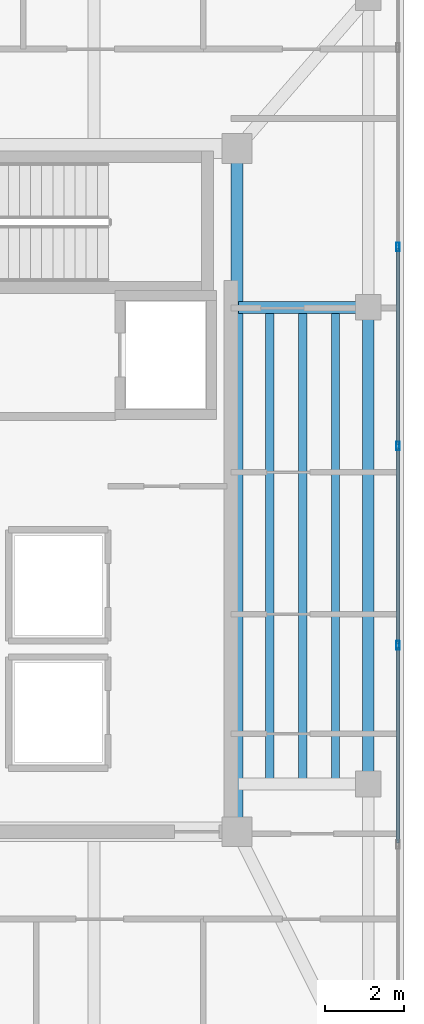
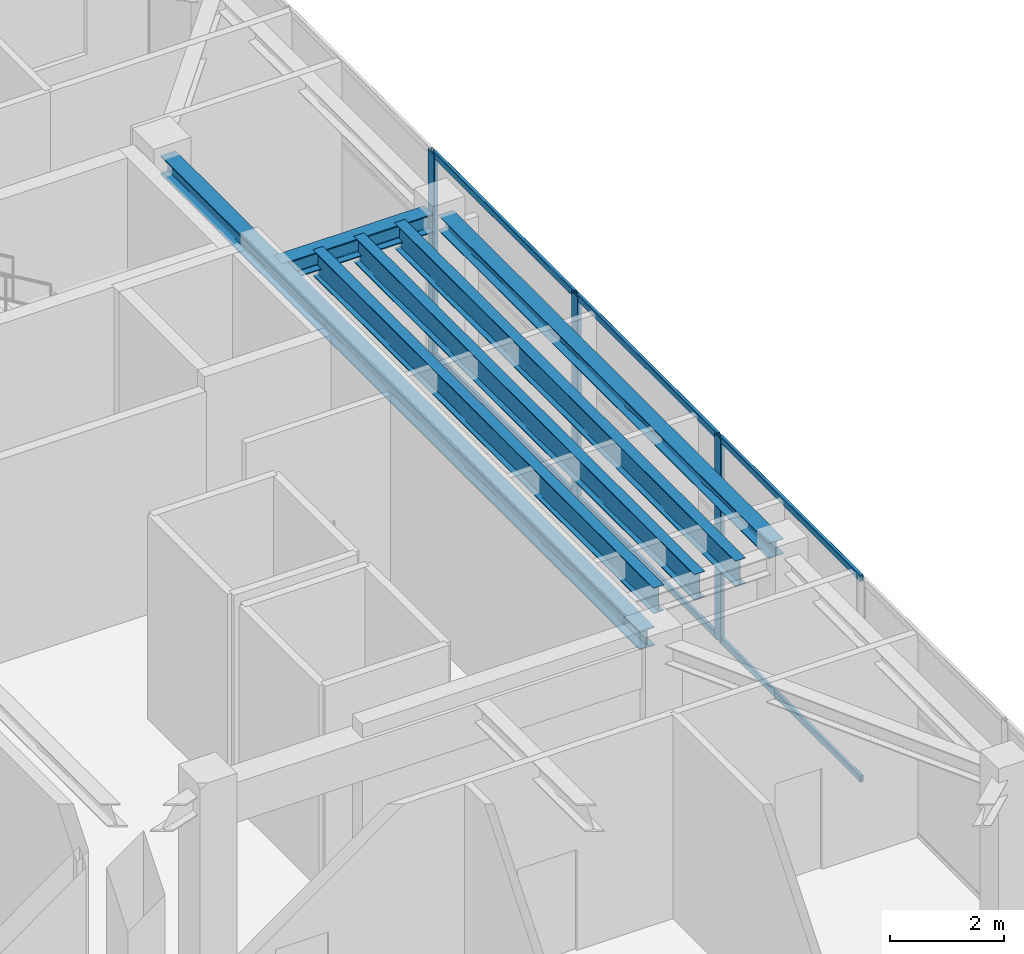
# One storey, part 9 of 25: 9 members, 6 beams, 1 element without a shape of its own.
"""IFC4 building model written with IfcOpenShell, lengths in metres."""

from ifc_helpers import new_model, si_unit, direction, frame, origin, origin_2d, place, context, subcontext, project, spatial, hollow_rectangle, i_section, extrude, material, layer, layer_set, material_profile, profile_set, type_object, element, aggregate, save


model = new_model("IFC4")

# Units and contexts
model_context = context("Model", 3, precision=1e-05, world=origin(), true_north=direction((0.0, 1.0)))
body_context = subcontext(model_context, "Body", "Model", "MODEL_VIEW")
ifc_project = project(units=[si_unit("LENGTHUNIT", "METRE"), si_unit("AREAUNIT", "SQUARE_METRE"), si_unit("VOLUMEUNIT", "CUBIC_METRE"), si_unit("PLANEANGLEUNIT", "RADIAN"), si_unit("MASSUNIT", "GRAM", prefix="KILO")], contexts=[model_context])

# Site, building, storey
site_placement = place(None, origin())
site = spatial("IfcSite", under=ifc_project, at=site_placement, CompositionType="ELEMENT")
building_placement = place(site_placement, origin())
building = spatial("IfcBuilding", under=site, at=building_placement, Name="Tarnavaz Court Tower", CompositionType="ELEMENT")
storey_placement = place(building_placement, frame((0.0, 0.0, 271.64990234375)))
storey = spatial("IfcBuildingStorey", under=building, at=storey_placement, Name="L74", CompositionType="ELEMENT", Elevation=271.64990234375)

# Beams
ifc_material_1 = material(Name="Steel S355", Category="steel")
ifc_material_profile_1 = material_profile(ifc_material_1, i_section(OverallWidth=0.300048828125, OverallDepth=0.39990234375, WebThickness=0.013427734375, FlangeThickness=0.02392578125, FilletRadius=0.027099609375, at=origin_2d()), Name="HEB 400")
ifc_profile_set_1 = profile_set([ifc_material_profile_1], Name="Steel S355")
beam_type_1 = type_object("IfcBeamType", Name="BM-G-HEB400", PredefinedType="USERDEFINED", material=ifc_profile_set_1)
beam_1_placement = place(storey_placement, frame((18.60009765625, -6.97998046875, 4.150146484375), z_axis=(0.0, 1.0, 0.0), x_axis=(-1.0, 0.0, 0.0)))
element("IfcBeam", 1, at=beam_1_placement, inside=storey, type_object=beam_type_1, Name="L74 Beam IN-CE-SO-CE-NO", ObjectType="GIRDER", PredefinedType="USERDEFINED", context=body_context, shape_type="SweptSolid", body=[
    extrude(i_section(OverallWidth=0.300048828125, OverallDepth=0.39990234375, WebThickness=0.013427734375, FlangeThickness=0.02392578125, FilletRadius=0.027099609375, at=origin_2d()), origin(), (0.0, 0.0, 1.0), 16.760009765625),
])
beam_2_placement = place(storey_placement, frame((18.639892578125, 6.0, 4.150146484375), z_axis=(1.0, 0.0, 0.0), x_axis=(0.0, 1.0, 0.0)))
element("IfcBeam", 2, at=beam_2_placement, inside=storey, type_object=beam_type_1, Name="L74 Beam RG-10", ObjectType="GIRDER", PredefinedType="USERDEFINED", context=body_context, shape_type="SweptSolid", body=[
    extrude(i_section(OverallWidth=0.300048828125, OverallDepth=0.39990234375, WebThickness=0.013427734375, FlangeThickness=0.02392578125, FilletRadius=0.027099609375, at=origin_2d()), origin(), (0.0, 0.0, 1.0), 3.0400390625),
])
ifc_material_profile_2 = material_profile(ifc_material_1, i_section(OverallWidth=0.2099609375, OverallDepth=0.550048828125, WebThickness=0.010986328125, FlangeThickness=0.01708984375, FilletRadius=0.02392578125, at=origin_2d()), Name="IPE 550")
ifc_profile_set_2 = profile_set([ifc_material_profile_2], Name="Steel S355")
beam_type_2 = type_object("IfcBeamType", Name="BM-J-IPE550", PredefinedType="JOIST", material=ifc_profile_set_2)
for number, where, z_axis, x_axis, name in (
    (3, (19.425048828125, -5.9599609375, 4.0751953125), (0.0, 1.0, 0.0), (-1.0, 0.0, 0.0), "L74 Beam JE1"),
    (4, (20.25, -5.9599609375, 4.0751953125), (0.0, 1.0, 0.0), (-1.0, 0.0, 0.0), "L74 Beam JE2"),
    (5, (21.074951171875, -5.9599609375, 4.0751953125), (0.0, 1.0, 0.0), (-1.0, 0.0, 0.0), "L74 Beam JE3"),
):
    element("IfcBeam", number, at=place(storey_placement, frame(where, z_axis=z_axis, x_axis=x_axis)), inside=storey, type_object=beam_type_2, Name=name, PredefinedType="JOIST", context=body_context, shape_type="SweptSolid", body=[
        extrude(i_section(OverallWidth=0.2099609375, OverallDepth=0.550048828125, WebThickness=0.010986328125, FlangeThickness=0.01708984375, FilletRadius=0.02392578125, at=origin_2d()), origin(), (0.0, 0.0, 1.0), 11.919921875),
    ])
ifc_material_profile_3 = material_profile(ifc_material_1, i_section(OverallWidth=0.300048828125, OverallDepth=0.330078125, WebThickness=0.009521484375, FlangeThickness=0.0166015625, FilletRadius=0.027099609375, at=origin_2d()), Name="HEA 340")
ifc_profile_set_3 = profile_set([ifc_material_profile_3], Name="Steel S355")
beam_type_3 = type_object("IfcBeamType", Name="BM-SP-HEA340", PredefinedType="BEAM", material=ifc_profile_set_3)
beam_3_placement = place(storey_placement, frame((21.89990234375, -5.780029296875, 4.18505859375), z_axis=(0.0, 1.0, 0.0), x_axis=(-1.0, 0.0, 0.0)))
element("IfcBeam", 6, at=beam_3_placement, inside=storey, type_object=beam_type_3, Name="L74 Beam PR-PE-2-PE-3", PredefinedType="BEAM", context=body_context, shape_type="SweptSolid", body=[
    extrude(i_section(OverallWidth=0.300048828125, OverallDepth=0.330078125, WebThickness=0.009521484375, FlangeThickness=0.0166015625, FilletRadius=0.027099609375, at=origin_2d()), origin(), (0.0, 0.0, 1.0), 11.56005859375),
])

# Curtain wall, members
ifc_material_2 = material(Name="Anodised Aluminium 6063-T6 and Solar Low-E Glazing", Category="aluminium")
ifc_layer = layer(ifc_material_2, 0.2099609375)
ifc_layer_set = layer_set([ifc_layer], Name="Anodised Aluminium 6063-T6 and Solar Low-E Glazing")
curtain_wall_type = type_object("IfcCurtainWallType", Name="CW-SYS-06", PredefinedType="NOTDEFINED", material=ifc_layer_set)
curtain_wall_placement = place(storey_placement, origin())
curtain_wall = element("IfcCurtainWall", 7, at=curtain_wall_placement, inside=storey, type_object=curtain_wall_type, Name="L74 Observation Curtain Wall 12", PredefinedType="NOTDEFINED")
ifc_material_3 = material(Name="Anodised Aluminium 6063-T6", Category="aluminium")
ifc_material_profile_4 = material_profile(ifc_material_3, hollow_rectangle(XDim=0.0849609375, YDim=0.219970703125, WallThickness=0.006103515625, InnerFilletRadius=0.006103515625, OuterFilletRadius=0.011962890625, at=origin_2d()), Name="ALU RHS 220X85X6")
ifc_profile_set_4 = profile_set([ifc_material_profile_4], Name="Anodised Aluminium 6063-T6")
member_type_1 = type_object("IfcMemberType", Name="CW-MUL-220", PredefinedType="MULLION", material=ifc_profile_set_4)
member_1_placement = place(storey_placement, frame((22.64990234375, 7.521484375, 0.0), z_axis=(0.0, 0.0, 1.0), x_axis=(1.0, 0.0, 0.0)))
member_1 = element("IfcMember", 8, at=member_1_placement, type_object=member_type_1, Name="CW mullion 3", PredefinedType="MULLION", context=body_context, shape_type="SweptSolid", body=[
    extrude(hollow_rectangle(XDim=0.0849609375, YDim=0.219970703125, WallThickness=0.006103515625, InnerFilletRadius=0.006103515625, OuterFilletRadius=0.011962890625, at=origin_2d()), origin(), (0.0, 0.0, 1.0), 4.35009765625),
])
member_2_placement = place(storey_placement, frame((22.64990234375, 2.507080078125, 0.0), z_axis=(0.0, 0.0, 1.0), x_axis=(1.0, 0.0, 0.0)))
member_2 = element("IfcMember", 9, at=member_2_placement, type_object=member_type_1, Name="CW mullion 4", PredefinedType="MULLION", context=body_context, shape_type="SweptSolid", body=[
    extrude(hollow_rectangle(XDim=0.0849609375, YDim=0.219970703125, WallThickness=0.006103515625, InnerFilletRadius=0.006103515625, OuterFilletRadius=0.011962890625, at=origin_2d()), origin(), (0.0, 0.0, 1.0), 4.35009765625),
])
member_3_placement = place(storey_placement, frame((22.64990234375, -2.507080078125, 0.0), z_axis=(0.0, 0.0, 1.0), x_axis=(1.0, 0.0, 0.0)))
member_3 = element("IfcMember", 10, at=member_3_placement, type_object=member_type_1, Name="CW mullion 5", PredefinedType="MULLION", context=body_context, shape_type="SweptSolid", body=[
    extrude(hollow_rectangle(XDim=0.0849609375, YDim=0.219970703125, WallThickness=0.006103515625, InnerFilletRadius=0.006103515625, OuterFilletRadius=0.011962890625, at=origin_2d()), origin(), (0.0, 0.0, 1.0), 4.35009765625),
])
ifc_material_profile_5 = material_profile(ifc_material_3, hollow_rectangle(XDim=0.06494140625, YDim=0.139892578125, WallThickness=0.00390625, InnerFilletRadius=0.00390625, OuterFilletRadius=0.008056640625, at=origin_2d()), Name="ALU RHS 140X65X4")
ifc_profile_set_5 = profile_set([ifc_material_profile_5], Name="Anodised Aluminium 6063-T6")
member_type_2 = type_object("IfcMemberType", Name="CW-TRN-140", PredefinedType="USERDEFINED", material=ifc_profile_set_5)
member_4_placement = place(storey_placement, frame((22.64990234375, 7.47900390625, 0.03271484375), z_axis=(0.0, -1.0, 0.0), x_axis=(1.0, 0.0, 0.0)))
member_4 = element("IfcMember", 11, at=member_4_placement, type_object=member_type_2, Name="CW transom 3.1", ObjectType="TRANSOM", PredefinedType="USERDEFINED", context=body_context, shape_type="SweptSolid", body=[
    extrude(hollow_rectangle(XDim=0.06494140625, YDim=0.139892578125, WallThickness=0.00390625, InnerFilletRadius=0.00390625, OuterFilletRadius=0.008056640625, at=origin_2d()), origin(), (0.0, 0.0, 1.0), 4.929443359375),
])
member_5_placement = place(storey_placement, frame((22.64990234375, 7.47900390625, 4.317626953125), z_axis=(0.0, -1.0, 0.0), x_axis=(1.0, 0.0, 0.0)))
member_5 = element("IfcMember", 12, at=member_5_placement, type_object=member_type_2, Name="CW transom 3.2", ObjectType="TRANSOM", PredefinedType="USERDEFINED", context=body_context, shape_type="SweptSolid", body=[
    extrude(hollow_rectangle(XDim=0.06494140625, YDim=0.139892578125, WallThickness=0.00390625, InnerFilletRadius=0.00390625, OuterFilletRadius=0.008056640625, at=origin_2d()), origin(), (0.0, 0.0, 1.0), 4.929443359375),
])
member_6_placement = place(storey_placement, frame((22.64990234375, 2.464599609375, 0.03271484375), z_axis=(0.0, -1.0, 0.0), x_axis=(1.0, 0.0, 0.0)))
member_6 = element("IfcMember", 13, at=member_6_placement, type_object=member_type_2, Name="CW transom 4.1", ObjectType="TRANSOM", PredefinedType="USERDEFINED", context=body_context, shape_type="SweptSolid", body=[
    extrude(hollow_rectangle(XDim=0.06494140625, YDim=0.139892578125, WallThickness=0.00390625, InnerFilletRadius=0.00390625, OuterFilletRadius=0.008056640625, at=origin_2d()), origin(), (0.0, 0.0, 1.0), 4.92919921875),
])
member_7_placement = place(storey_placement, frame((22.64990234375, 2.464599609375, 4.317626953125), z_axis=(0.0, -1.0, 0.0), x_axis=(1.0, 0.0, 0.0)))
member_7 = element("IfcMember", 14, at=member_7_placement, type_object=member_type_2, Name="CW transom 4.2", ObjectType="TRANSOM", PredefinedType="USERDEFINED", context=body_context, shape_type="SweptSolid", body=[
    extrude(hollow_rectangle(XDim=0.06494140625, YDim=0.139892578125, WallThickness=0.00390625, InnerFilletRadius=0.00390625, OuterFilletRadius=0.008056640625, at=origin_2d()), origin(), (0.0, 0.0, 1.0), 4.92919921875),
])
member_8_placement = place(storey_placement, frame((22.64990234375, -2.549560546875, 0.03271484375), z_axis=(0.0, -1.0, 0.0), x_axis=(1.0, 0.0, 0.0)))
member_8 = element("IfcMember", 15, at=member_8_placement, type_object=member_type_2, Name="CW transom 5.1", ObjectType="TRANSOM", PredefinedType="USERDEFINED", context=body_context, shape_type="SweptSolid", body=[
    extrude(hollow_rectangle(XDim=0.06494140625, YDim=0.139892578125, WallThickness=0.00390625, InnerFilletRadius=0.00390625, OuterFilletRadius=0.008056640625, at=origin_2d()), origin(), (0.0, 0.0, 1.0), 4.929443359375),
])
member_9_placement = place(storey_placement, frame((22.64990234375, -2.549560546875, 4.317626953125), z_axis=(0.0, -1.0, 0.0), x_axis=(1.0, 0.0, 0.0)))
member_9 = element("IfcMember", 16, at=member_9_placement, type_object=member_type_2, Name="CW transom 5.2", ObjectType="TRANSOM", PredefinedType="USERDEFINED", context=body_context, shape_type="SweptSolid", body=[
    extrude(hollow_rectangle(XDim=0.06494140625, YDim=0.139892578125, WallThickness=0.00390625, InnerFilletRadius=0.00390625, OuterFilletRadius=0.008056640625, at=origin_2d()), origin(), (0.0, 0.0, 1.0), 4.929443359375),
])
aggregate(curtain_wall, [member_1, member_2, member_3, member_4, member_5, member_6, member_7, member_8, member_9])

save(model, "model.ifc")
